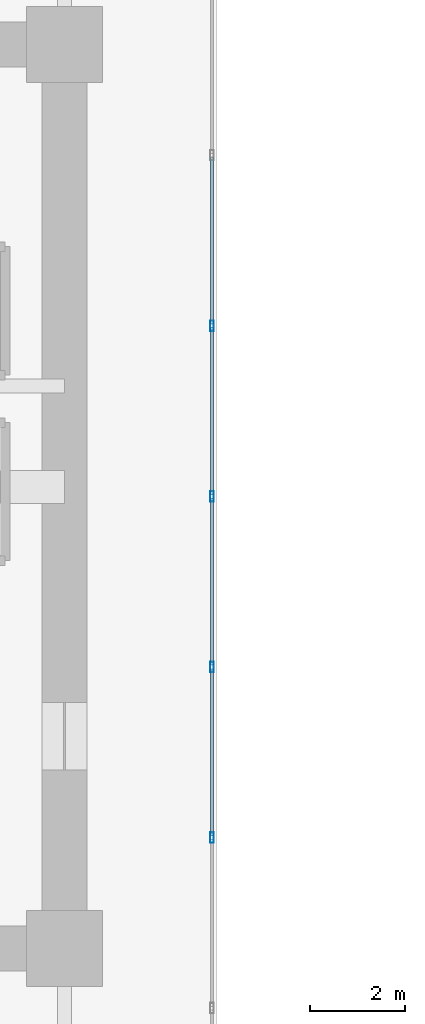
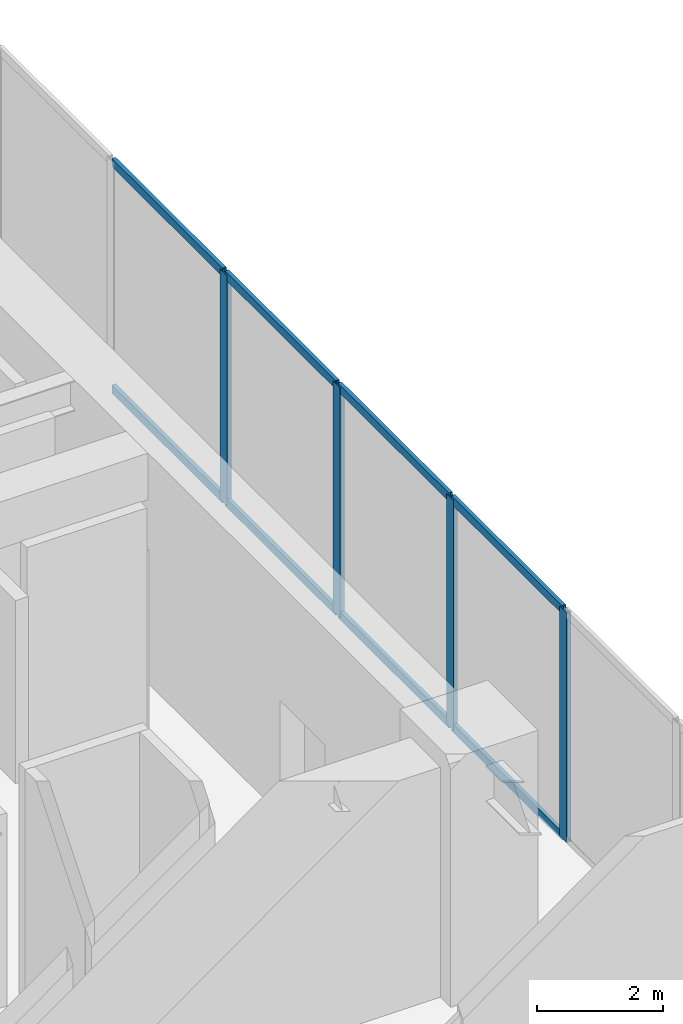
# One storey, part 7 of 32: 12 members, 1 element without a shape of its own.
"""IFC4 building model written with IfcOpenShell, lengths in metres."""

from ifc_helpers import new_model, si_unit, direction, frame, origin, origin_2d, place, context, subcontext, project, spatial, hollow_rectangle, extrude, source, transform, mapped, material, layer, layer_set, material_profile, profile_set, type_object, type_shapes, element, aggregate, save


model = new_model("IFC4")

# Units and contexts
model_context = context("Model", 3, precision=1e-05, world=origin(), true_north=direction((0.0, 1.0)))
body_context = subcontext(model_context, "Body", "Model", "MODEL_VIEW")
ifc_project = project(units=[si_unit("LENGTHUNIT", "METRE"), si_unit("AREAUNIT", "SQUARE_METRE"), si_unit("VOLUMEUNIT", "CUBIC_METRE"), si_unit("PLANEANGLEUNIT", "RADIAN"), si_unit("MASSUNIT", "GRAM", prefix="KILO")], contexts=[model_context])

# Site, building, storey
site_placement = place(None, origin())
site = spatial("IfcSite", under=ifc_project, at=site_placement, CompositionType="ELEMENT")
building_placement = place(site_placement, origin())
building = spatial("IfcBuilding", under=site, at=building_placement, Name="Haelvirn Gate Laboratories", CompositionType="ELEMENT")
storey_placement = place(building_placement, frame((0.0, 0.0, 5.39990234375)))
storey = spatial("IfcBuildingStorey", under=building, at=storey_placement, Name="L02", CompositionType="ELEMENT", Elevation=5.39990234375)

# Curtain wall, members
ifc_material_1 = material(Name="Anodised bronze unitised aluminium & triple low-E glass", Category="aluminium")
ifc_layer = layer(ifc_material_1, 0.18798828125, Name="CW-SYS-1")
ifc_layer_set = layer_set([ifc_layer], Name="Anodised bronze unitised aluminium & triple low-E glass")
curtain_wall_type = type_object("IfcCurtainWallType", Name="CW-SYS-1", PredefinedType="NOTDEFINED", material=ifc_layer_set)
curtain_wall_placement = place(storey_placement, origin())
curtain_wall = element("IfcCurtainWall", 1, at=curtain_wall_placement, inside=storey, type_object=curtain_wall_type, Name="L02 Unitised Curtain Wall CW-L02-P0-E01", PredefinedType="NOTDEFINED")
ifc_material_2 = material(Name="Extruded aluminium 6063-T6 (anodised bronze)", Category="aluminium")
ifc_material_profile_1 = material_profile(ifc_material_2, hollow_rectangle(XDim=0.080078125, YDim=0.219970703125, WallThickness=0.006103515625, at=origin_2d()), Name="CWM-220x80x6")
ifc_profile_set_1 = profile_set([ifc_material_profile_1], Name="Extruded aluminium 6063-T6 (anodised bronze)")
member_type_1 = type_object("IfcMemberType", Name="CWM-T220", PredefinedType="MULLION", material=ifc_profile_set_1)
shared_shape_1 = source(origin(), body_context, "Body", "SweptSolid", [
    extrude(hollow_rectangle(XDim=0.080078125, YDim=0.219970703125, WallThickness=0.006103515625, at=origin_2d()), origin(), (0.0, 0.0, 1.0), 4.4501953125),
])
type_shapes(member_type_1, [shared_shape_1])
member_1_placement = place(storey_placement, frame((25.300048828125, 17.128662109375, 0.0), z_axis=(0.0, 0.0, 1.0), x_axis=(-1.0, 0.0, 0.0)))
member_1 = element("IfcMember", 2, at=member_1_placement, type_object=member_type_1, Name="CW1 mullion 6", PredefinedType="MULLION", context=body_context, shape_type="MappedRepresentation", body=[
    mapped(shared_shape_1, transform((0.0, 0.0, 0.0), scale=1.0)),
])
member_2_placement = place(storey_placement, frame((25.300048828125, 20.71435546875, 0.0), z_axis=(0.0, 0.0, 1.0), x_axis=(-1.0, 0.0, 0.0)))
member_2 = element("IfcMember", 3, at=member_2_placement, type_object=member_type_1, Name="CW1 mullion 7", PredefinedType="MULLION", context=body_context, shape_type="MappedRepresentation", body=[
    mapped(shared_shape_1, transform((0.0, 0.0, 0.0), scale=1.0)),
])
member_3_placement = place(storey_placement, frame((25.300048828125, 24.300048828125, 0.0), z_axis=(0.0, 0.0, 1.0), x_axis=(-1.0, 0.0, 0.0)))
member_3 = element("IfcMember", 4, at=member_3_placement, type_object=member_type_1, Name="CW1 mullion 8", PredefinedType="MULLION", context=body_context, shape_type="MappedRepresentation", body=[
    mapped(shared_shape_1, transform((0.0, 0.0, 0.0), scale=1.0)),
])
member_4_placement = place(storey_placement, frame((25.300048828125, 27.8857421875, 0.0), z_axis=(0.0, 0.0, 1.0), x_axis=(-1.0, 0.0, 0.0)))
member_4 = element("IfcMember", 5, at=member_4_placement, type_object=member_type_1, Name="CW1 mullion 9", PredefinedType="MULLION", context=body_context, shape_type="MappedRepresentation", body=[
    mapped(shared_shape_1, transform((0.0, 0.0, 0.0), scale=1.0)),
])
ifc_material_profile_2 = material_profile(ifc_material_2, hollow_rectangle(XDim=0.070068359375, YDim=0.159912109375, WallThickness=0.0048828125, at=origin_2d()), Name="CWT-160x70x5")
ifc_profile_set_2 = profile_set([ifc_material_profile_2], Name="Extruded aluminium 6063-T6 (anodised bronze)")
member_type_2 = type_object("IfcMemberType", Name="CWT-T160", PredefinedType="USERDEFINED", material=ifc_profile_set_2)
shared_shape_2 = source(origin(), body_context, "Body", "SweptSolid", [
    extrude(hollow_rectangle(XDim=0.070068359375, YDim=0.159912109375, WallThickness=0.0048828125, at=origin_2d()), origin(), (0.0, 0.0, 1.0), 3.505859375),
])
member_5_placement = place(storey_placement, frame((25.300048828125, 17.16845703125, 0.03515625), z_axis=(0.0, 1.0, 0.0), x_axis=(-1.0, 0.0, 0.0)))
member_5 = element("IfcMember", 6, at=member_5_placement, type_object=member_type_2, Name="CW1 transom 6.1", ObjectType="TRANSOM", PredefinedType="USERDEFINED", context=body_context, shape_type="MappedRepresentation", body=[
    mapped(shared_shape_2, transform((0.0, 0.0, 0.0), scale=1.0)),
])
member_6_placement = place(storey_placement, frame((25.300048828125, 17.16845703125, 4.4150390625), z_axis=(0.0, 1.0, 0.0), x_axis=(-1.0, 0.0, 0.0)))
member_6 = element("IfcMember", 7, at=member_6_placement, type_object=member_type_2, Name="CW1 transom 6.2", ObjectType="TRANSOM", PredefinedType="USERDEFINED", context=body_context, shape_type="MappedRepresentation", body=[
    mapped(shared_shape_2, transform((0.0, 0.0, 0.0), scale=1.0)),
])
shared_shape_3 = source(origin(), body_context, "Body", "SweptSolid", [
    extrude(hollow_rectangle(XDim=0.070068359375, YDim=0.159912109375, WallThickness=0.0048828125, at=origin_2d()), origin(), (0.0, 0.0, 1.0), 3.505615234375),
])
type_shapes(member_type_2, [shared_shape_2, shared_shape_3])
member_7_placement = place(storey_placement, frame((25.300048828125, 20.75439453125, 0.03515625), z_axis=(0.0, 1.0, 0.0), x_axis=(-1.0, 0.0, 0.0)))
member_7 = element("IfcMember", 8, at=member_7_placement, type_object=member_type_2, Name="CW1 transom 7.1", ObjectType="TRANSOM", PredefinedType="USERDEFINED", context=body_context, shape_type="MappedRepresentation", body=[
    mapped(shared_shape_3, transform((0.0, 0.0, 0.0), scale=1.0)),
])
member_8_placement = place(storey_placement, frame((25.300048828125, 20.75439453125, 4.4150390625), z_axis=(0.0, 1.0, 0.0), x_axis=(-1.0, 0.0, 0.0)))
member_8 = element("IfcMember", 9, at=member_8_placement, type_object=member_type_2, Name="CW1 transom 7.2", ObjectType="TRANSOM", PredefinedType="USERDEFINED", context=body_context, shape_type="MappedRepresentation", body=[
    mapped(shared_shape_3, transform((0.0, 0.0, 0.0), scale=1.0)),
])
member_9_placement = place(storey_placement, frame((25.300048828125, 24.340087890625, 0.03515625), z_axis=(0.0, 1.0, 0.0), x_axis=(-1.0, 0.0, 0.0)))
member_9 = element("IfcMember", 10, at=member_9_placement, type_object=member_type_2, Name="CW1 transom 8.1", ObjectType="TRANSOM", PredefinedType="USERDEFINED", context=body_context, shape_type="MappedRepresentation", body=[
    mapped(shared_shape_3, transform((0.0, 0.0, 0.0), scale=1.0)),
])
member_10_placement = place(storey_placement, frame((25.300048828125, 24.340087890625, 4.4150390625), z_axis=(0.0, 1.0, 0.0), x_axis=(-1.0, 0.0, 0.0)))
member_10 = element("IfcMember", 11, at=member_10_placement, type_object=member_type_2, Name="CW1 transom 8.2", ObjectType="TRANSOM", PredefinedType="USERDEFINED", context=body_context, shape_type="MappedRepresentation", body=[
    mapped(shared_shape_3, transform((0.0, 0.0, 0.0), scale=1.0)),
])
member_11_placement = place(storey_placement, frame((25.300048828125, 27.92578125, 0.03515625), z_axis=(0.0, 1.0, 0.0), x_axis=(-1.0, 0.0, 0.0)))
member_11 = element("IfcMember", 12, at=member_11_placement, type_object=member_type_2, Name="CW1 transom 9.1", ObjectType="TRANSOM", PredefinedType="USERDEFINED", context=body_context, shape_type="MappedRepresentation", body=[
    mapped(shared_shape_3, transform((0.0, 0.0, 0.0), scale=1.0)),
])
member_12_placement = place(storey_placement, frame((25.300048828125, 27.92578125, 4.4150390625), z_axis=(0.0, 1.0, 0.0), x_axis=(-1.0, 0.0, 0.0)))
member_12 = element("IfcMember", 13, at=member_12_placement, type_object=member_type_2, Name="CW1 transom 9.2", ObjectType="TRANSOM", PredefinedType="USERDEFINED", context=body_context, shape_type="MappedRepresentation", body=[
    mapped(shared_shape_3, transform((0.0, 0.0, 0.0), scale=1.0)),
])
aggregate(curtain_wall, [member_1, member_2, member_3, member_4, member_5, member_6, member_7, member_8, member_9, member_10, member_11, member_12])

save(model, "model.ifc")
